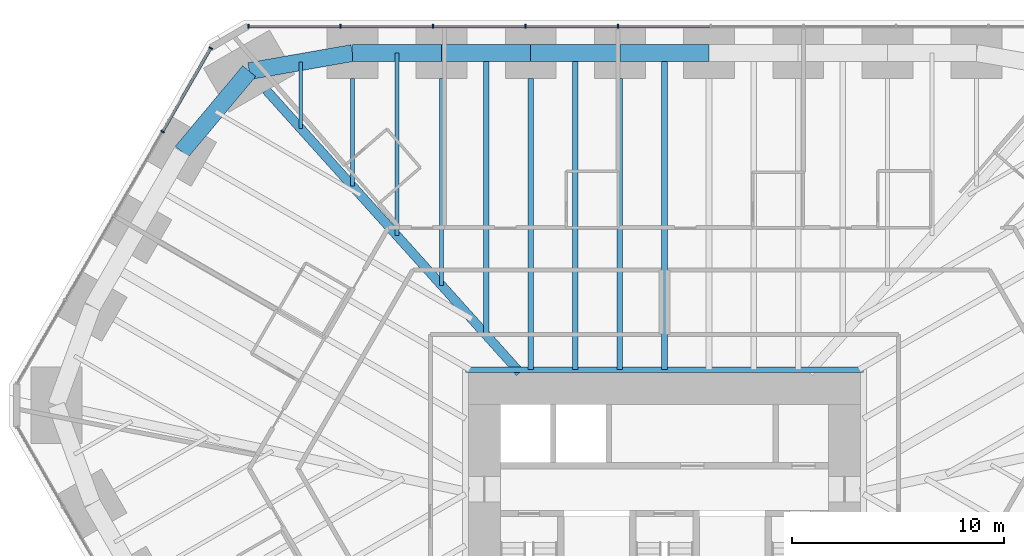
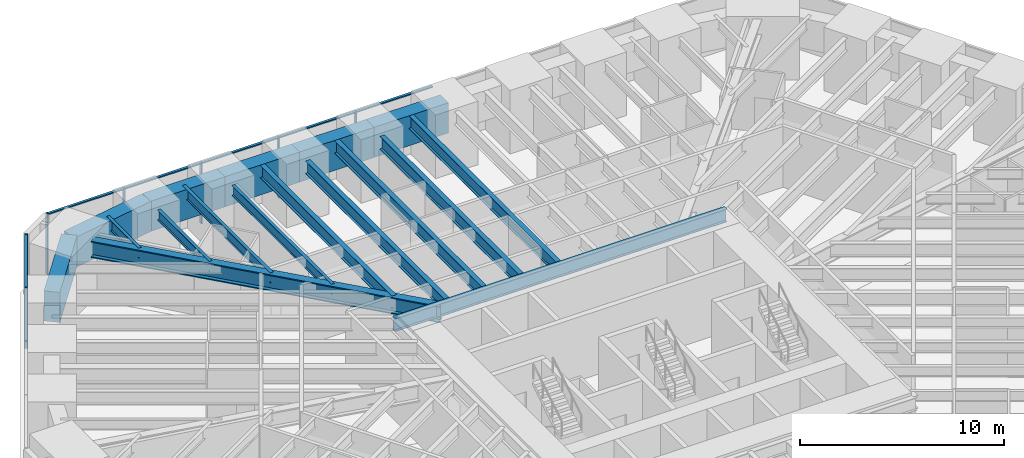
# One storey, part 8 of 17: 17 beams, 13 members, 2 elements without a shape of their own.
"""IFC4 building model written with IfcOpenShell, lengths in metres."""

import ifcopenshell
import ifcopenshell.guid

model = None  # the IFC model being written
_history = None  # IfcOwnerHistory: only IFC2X3 demands one
_inside = {}  # id of a spatial element -> (the spatial element, [elements in it])
_under = {}  # id of a project, library or spatial element -> (it, [spatial elements below it])
_declared = {}  # id of a project -> (the project, [libraries it declares])
_typed = {}  # id of a type object -> (the type object, [elements of that type])
_made_of = {}  # id of a material, layer set ... -> (it, [elements and type objects made of it])


def new_model(schema):
    """Start an empty IFC model of exactly this schema.

    Asked for "IFC4X3", IfcOpenShell would pick the latest addendum, in which some entities
    have other attributes; the version numbers below select the first issue.
    IFC2X3 requires an IfcOwnerHistory on every rooted entity: one is made here for all.
    """
    global model, _history
    if schema == "IFC4X3":
        model = ifcopenshell.file(schema_version=(4, 3, 0, 0))
    else:
        model = ifcopenshell.file(schema=schema)
    _inside.clear()
    _under.clear()
    _declared.clear()
    _typed.clear()
    _made_of.clear()
    _history = None
    if model.schema == "IFC2X3":
        org = make("IfcOrganization", Name="unknown")
        user = make(
            "IfcPersonAndOrganization",
            ThePerson=make("IfcPerson", FamilyName="unknown"),
            TheOrganization=org,
        )
        app = make(
            "IfcApplication",
            ApplicationDeveloper=org,
            Version="unknown",
            ApplicationFullName="unknown",
            ApplicationIdentifier="unknown",
        )
        _history = make(
            "IfcOwnerHistory",
            OwningUser=user,
            OwningApplication=app,
            ChangeAction="ADDED",
            CreationDate=0,
        )
    return model


def make(cls, **values):
    """One entity of the class cls with the attributes given. An attribute that is None is left unset."""
    return model.create_entity(
        cls, **{name: value for name, value in values.items() if value is not None}
    )


def rooted(cls, **values):
    """An entity with a GlobalId (a new one), such as an element, a storey or a relation."""
    return make(cls, GlobalId=ifcopenshell.guid.new(), OwnerHistory=_history, **values)


def si_unit(unit_type, name, prefix=None):
    """IfcSIUnit, for example si_unit("LENGTHUNIT", "METRE", prefix="MILLI")."""
    return make("IfcSIUnit", UnitType=unit_type, Prefix=prefix, Name=name)


def assignment(units):
    """IfcUnitAssignment: the units of a project."""
    return None if units is None else make("IfcUnitAssignment", Units=units)


def point(xyz):
    """IfcCartesianPoint."""
    return None if xyz is None else make("IfcCartesianPoint", Coordinates=xyz)


def direction(xyz):
    """IfcDirection."""
    return None if xyz is None else make("IfcDirection", DirectionRatios=xyz)


def frame(location, z_axis=None, x_axis=None):
    """IfcAxis2Placement3D, a coordinate frame: its origin and axes. An axis left out is left unset."""
    return make(
        "IfcAxis2Placement3D",
        Location=point(location),
        Axis=direction(z_axis),
        RefDirection=direction(x_axis),
    )


def frame_2d(location, x_axis=None):
    """IfcAxis2Placement2D, a coordinate frame in the plane: its origin and x axis."""
    return make(
        "IfcAxis2Placement2D", Location=point(location), RefDirection=direction(x_axis)
    )


def origin():
    """The frame at (0, 0, 0) with its axes left unset."""
    return frame((0.0, 0.0, 0.0))


def origin_2d():
    """The frame at (0, 0) in the plane with its x axis left unset."""
    return frame_2d((0.0, 0.0))


def place(relative_to, where):
    """IfcLocalPlacement: puts the frame where relative to a parent placement (None: the world)."""
    return make(
        "IfcLocalPlacement", PlacementRelTo=relative_to, RelativePlacement=where
    )


def context(
    kind, dimensions, precision=None, world=None, true_north=None, identifier=None
):
    """IfcGeometricRepresentationContext, for example the 3D "Model" context."""
    return make(
        "IfcGeometricRepresentationContext",
        ContextIdentifier=identifier,
        ContextType=kind,
        CoordinateSpaceDimension=dimensions,
        Precision=precision,
        WorldCoordinateSystem=world,
        TrueNorth=true_north,
    )


def subcontext(parent, identifier, kind, view, scale=None):
    """IfcGeometricRepresentationSubContext, for example "Body" below "Model"."""
    return make(
        "IfcGeometricRepresentationSubContext",
        ContextIdentifier=identifier,
        ContextType=kind,
        ParentContext=parent,
        TargetScale=scale,
        TargetView=view,
    )


def project(units=None, contexts=None):
    """IfcProject with its units and contexts."""
    return rooted(
        "IfcProject",
        Name="project",
        RepresentationContexts=contexts,
        UnitsInContext=assignment(units),
    )


def spatial(cls, under=None, at=None, **own):
    """A site, building, storey or space (cls), placed at a placement, below another one or the project."""
    s = rooted(cls, ObjectPlacement=at, **own)
    if under is not None:
        _under.setdefault(under.id(), (under, []))[1].append(s)
    return s


def profile(cls, at=None, kind="AREA", **sizes):
    """A parametric profile (cls). Its sizes go by their IFC names, for example OverallWidth=200.0."""
    return make(cls, ProfileType=kind, Position=at, **sizes)


def rectangle(**sizes):
    """IfcRectangleProfileDef."""
    return profile("IfcRectangleProfileDef", **sizes)


def i_section(**sizes):
    """IfcIShapeProfileDef."""
    return profile("IfcIShapeProfileDef", **sizes)


def extrude(swept, where, along, depth):
    """IfcExtrudedAreaSolid: the profile swept, set in the frame where, extruded along a direction by depth."""
    return make(
        "IfcExtrudedAreaSolid",
        SweptArea=swept,
        Position=where,
        ExtrudedDirection=direction(along),
        Depth=depth,
    )


def shape(context_of_items, identifier, shape_type, items):
    """IfcShapeRepresentation: the items that make up one representation, for example the "Body"."""
    return make(
        "IfcShapeRepresentation",
        ContextOfItems=context_of_items,
        RepresentationIdentifier=identifier,
        RepresentationType=shape_type,
        Items=items,
    )


def material(Name=None, Category=None):
    """IfcMaterial."""
    return make("IfcMaterial", Name=Name, Category=Category)


def material_profile(
    of_material, cross_section, Name=None, Category=None, Priority=None
):
    """IfcMaterialProfile: a cross section and its material."""
    return make(
        "IfcMaterialProfile",
        Name=Name,
        Material=of_material,
        Profile=cross_section,
        Priority=Priority,
        Category=Category,
    )


def profile_set(profiles, Name=None, composite=None):
    """IfcMaterialProfileSet."""
    return make(
        "IfcMaterialProfileSet",
        Name=Name,
        MaterialProfiles=profiles,
        CompositeProfile=composite,
    )


def made_of(thing, what):
    """Note that an element or type object is made of a material, layer set ...; save() writes the relation."""
    if what is not None:
        _made_of.setdefault(what.id(), (what, []))[1].append(thing)
    return thing


def type_object(cls, material=None, **own):
    """A type object (cls), such as IfcWallType, which elements share."""
    return made_of(rooted(cls, **own), material)


def element(
    cls,
    number,
    at=None,
    inside=None,
    cuts=None,
    type_object=None,
    material=None,
    context=None,
    identifier="Body",
    shape_type=None,
    held_by="IfcProductDefinitionShape",
    body=None,
    shapes=None,
    **own,
):
    """One element of the class cls, such as IfcWall. Its Tag is "e" and its number.

    at: its placement. inside: the storey or other place that contains it. cuts: it is an
    opening in that element (IfcRelVoidsElement). A single representation is given by context,
    identifier, shape_type and body (its items); several are given by shapes. held_by: the class
    of the entity that holds the representations. save() writes the other relations.
    """
    e = rooted(cls, Tag="e%d" % number, ObjectPlacement=at, **own)
    if body is not None:
        shapes = [shape(context, identifier, shape_type, body)]
    if shapes is not None:
        e.Representation = make(held_by, Representations=shapes)
    if inside is not None:
        _inside.setdefault(inside.id(), (inside, []))[1].append(e)
    if cuts is not None:
        rooted(
            "IfcRelVoidsElement", RelatingBuildingElement=cuts, RelatedOpeningElement=e
        )
    if type_object is not None:
        _typed.setdefault(type_object.id(), (type_object, []))[1].append(e)
    return made_of(e, material)


def aggregate(whole, parts):
    """IfcRelAggregates: a whole, such as a stair, and the parts it consists of."""
    return rooted("IfcRelAggregates", RelatingObject=whole, RelatedObjects=parts)


def save(model, path):
    """Write the relations noted so far, then the file.

    IfcRelAggregates (storeys below a building ...), IfcRelContainedInSpatialStructure (elements
    in a storey), IfcRelDefinesByType, IfcRelAssociatesMaterial and IfcRelDeclares: one each for
    every whole, place, type object, material and project.
    """
    for whole, parts in _under.values():
        aggregate(whole, parts)
    for where, things in _inside.values():
        rooted(
            "IfcRelContainedInSpatialStructure",
            RelatedElements=things,
            RelatingStructure=where,
        )
    for kind, things in _typed.values():
        rooted("IfcRelDefinesByType", RelatedObjects=things, RelatingType=kind)
    for what, things in _made_of.values():
        rooted("IfcRelAssociatesMaterial", RelatedObjects=things, RelatingMaterial=what)
    for by, libraries in _declared.values():
        rooted("IfcRelDeclares", RelatingContext=by, RelatedDefinitions=libraries)
    model.write(path)


model = new_model("IFC4")

# Units and contexts
model_context = context("Model", 3, precision=1e-05, world=origin(), true_north=direction((0.0, 1.0)))
body_context = subcontext(model_context, "Body", "Model", "MODEL_VIEW")
ifc_project = project(units=[si_unit("LENGTHUNIT", "METRE"), si_unit("AREAUNIT", "SQUARE_METRE"), si_unit("VOLUMEUNIT", "CUBIC_METRE"), si_unit("PLANEANGLEUNIT", "RADIAN"), si_unit("MASSUNIT", "GRAM", prefix="KILO")], contexts=[model_context])

# Site, building, storey
site_placement = place(None, origin())
site = spatial("IfcSite", under=ifc_project, at=site_placement, CompositionType="ELEMENT")
building_placement = place(site_placement, origin())
building = spatial("IfcBuilding", under=site, at=building_placement, Name="Sandreach Pilgrim Tower", CompositionType="ELEMENT")
storey_placement = place(building_placement, frame((0.0, 0.0, 38.199951171875)))
storey = spatial("IfcBuildingStorey", under=building, at=storey_placement, Name="L08", CompositionType="ELEMENT", Elevation=38.199951171875)

# Curtain wall, members
ifc_material_1 = material(Name="Aluminium framed curtain wall", Category="aluminium")
curtain_wall_type = type_object("IfcCurtainWallType", Name="Hostel tower curtain wall", PredefinedType="NOTDEFINED", material=ifc_material_1)
curtain_wall_1_placement = place(storey_placement, origin())
curtain_wall_1 = element("IfcCurtainWall", 1, at=curtain_wall_1_placement, inside=storey, type_object=curtain_wall_type, Name="CW-1 L08 N", PredefinedType="NOTDEFINED")
ifc_material_2 = material(Name="Aluminium extrusion", Category="aluminium")
ifc_material_profile_1 = material_profile(ifc_material_2, rectangle(XDim=0.06494140625, YDim=0.179931640625, at=origin_2d()), Name="CW-1M 65X180")
ifc_profile_set_1 = profile_set([ifc_material_profile_1], Name="Aluminium extrusion")
member_type_1 = type_object("IfcMemberType", Name="CW-1 mullion", PredefinedType="MULLION", material=ifc_profile_set_1)
member_1_placement = place(storey_placement, frame((-19.6396484375, 23.94873046875, 0.0), z_axis=(0.0, 0.0, 1.0), x_axis=(1.0, 0.0, 0.0)))
member_1 = element("IfcMember", 2, at=member_1_placement, type_object=member_type_1, Name="CW-1 mullion 1", PredefinedType="MULLION", context=body_context, shape_type="SweptSolid", body=[
    extrude(rectangle(XDim=0.06494140625, YDim=0.179931640625, at=origin_2d()), origin(), (0.0, 0.0, 1.0), 3.64013671875),
])
member_2_placement = place(storey_placement, frame((-15.300537109375, 23.94873046875, 0.0), z_axis=(0.0, 0.0, 1.0), x_axis=(1.0, 0.0, 0.0)))
member_2 = element("IfcMember", 3, at=member_2_placement, type_object=member_type_1, Name="CW-1 mullion 2", PredefinedType="MULLION", context=body_context, shape_type="SweptSolid", body=[
    extrude(rectangle(XDim=0.06494140625, YDim=0.179931640625, at=origin_2d()), origin(), (0.0, 0.0, 1.0), 3.64013671875),
])
member_3_placement = place(storey_placement, frame((-10.928955078125, 23.94873046875, 0.0), z_axis=(0.0, 0.0, 1.0), x_axis=(1.0, 0.0, 0.0)))
member_3 = element("IfcMember", 4, at=member_3_placement, type_object=member_type_1, Name="CW-1 mullion 3", PredefinedType="MULLION", context=body_context, shape_type="SweptSolid", body=[
    extrude(rectangle(XDim=0.06494140625, YDim=0.179931640625, at=origin_2d()), origin(), (0.0, 0.0, 1.0), 3.64013671875),
])
member_4_placement = place(storey_placement, frame((-6.557373046875, 23.94873046875, 0.0), z_axis=(0.0, 0.0, 1.0), x_axis=(1.0, 0.0, 0.0)))
member_4 = element("IfcMember", 5, at=member_4_placement, type_object=member_type_1, Name="CW-1 mullion 4", PredefinedType="MULLION", context=body_context, shape_type="SweptSolid", body=[
    extrude(rectangle(XDim=0.06494140625, YDim=0.179931640625, at=origin_2d()), origin(), (0.0, 0.0, 1.0), 3.64013671875),
])
member_5_placement = place(storey_placement, frame((-2.185791015625, 23.94873046875, 0.0), z_axis=(0.0, 0.0, 1.0), x_axis=(1.0, 0.0, 0.0)))
member_5 = element("IfcMember", 6, at=member_5_placement, type_object=member_type_1, Name="CW-1 mullion 5", PredefinedType="MULLION", context=body_context, shape_type="SweptSolid", body=[
    extrude(rectangle(XDim=0.06494140625, YDim=0.179931640625, at=origin_2d()), origin(), (0.0, 0.0, 1.0), 3.64013671875),
])

curtain_wall_2_placement = place(storey_placement, origin())
curtain_wall_2 = element("IfcCurtainWall", 7, at=curtain_wall_2_placement, inside=storey, type_object=curtain_wall_type, Name="CW-1 L08 NW", PredefinedType="NOTDEFINED")
member_6_placement = place(storey_placement, frame((-23.697265625, 18.97705078125, 0.0), z_axis=(0.0, 0.0, 1.0), x_axis=(0.5, 0.866025403784, 0.0)))
member_6 = element("IfcMember", 8, at=member_6_placement, type_object=member_type_1, Name="CW-1 mullion 4", PredefinedType="MULLION", context=body_context, shape_type="SweptSolid", body=[
    extrude(rectangle(XDim=0.06494140625, YDim=0.179931640625, at=origin_2d()), origin(), (0.0, 0.0, 1.0), 3.64013671875),
])
member_7_placement = place(storey_placement, frame((-21.42041015625, 22.920654296875, 0.0), z_axis=(0.0, 0.0, 1.0), x_axis=(0.5, 0.866025403784, 0.0)))
member_7 = element("IfcMember", 9, at=member_7_placement, type_object=member_type_1, Name="CW-1 mullion 5", PredefinedType="MULLION", context=body_context, shape_type="SweptSolid", body=[
    extrude(rectangle(XDim=0.06494140625, YDim=0.179931640625, at=origin_2d()), origin(), (0.0, 0.0, 1.0), 3.64013671875),
])

# Member
ifc_material_3 = material(Name="Aluminium extrusion", Category="aluminium")
ifc_material_profile_2 = material_profile(ifc_material_3, rectangle(XDim=0.139892578125, YDim=0.070068359375, at=origin_2d()), Name="CW-1T 140X70")
ifc_profile_set_2 = profile_set([ifc_material_profile_2], Name="Aluminium extrusion")
member_type_2 = type_object("IfcMemberType", Name="CW-1 transom", PredefinedType="USERDEFINED", material=ifc_profile_set_2)
member_8_placement = place(storey_placement, frame((-19.607177734375, 23.94873046875, 3.60498046875), z_axis=(1.0, 0.0, 0.0), x_axis=(0.0, 1.0, 0.0)))
member_8 = element("IfcMember", 10, at=member_8_placement, type_object=member_type_2, Name="CW-1 head transom 1", ObjectType="TRANSOM", PredefinedType="USERDEFINED", context=body_context, shape_type="SweptSolid", body=[
    extrude(rectangle(XDim=0.139892578125, YDim=0.070068359375, at=origin_2d()), origin(), (0.0, 0.0, 1.0), 4.274169921875),
])

member_9_placement = place(storey_placement, frame((-15.26806640625, 23.94873046875, 3.60498046875), z_axis=(1.0, 0.0, 0.0), x_axis=(0.0, 1.0, 0.0)))
member_9 = element("IfcMember", 11, at=member_9_placement, type_object=member_type_2, Name="CW-1 head transom 2", ObjectType="TRANSOM", PredefinedType="USERDEFINED", context=body_context, shape_type="SweptSolid", body=[
    extrude(rectangle(XDim=0.139892578125, YDim=0.070068359375, at=origin_2d()), origin(), (0.0, 0.0, 1.0), 4.306640625),
])

member_10_placement = place(storey_placement, frame((-10.896484375, 23.94873046875, 3.60498046875), z_axis=(1.0, 0.0, 0.0), x_axis=(0.0, 1.0, 0.0)))
member_10 = element("IfcMember", 12, at=member_10_placement, type_object=member_type_2, Name="CW-1 head transom 3", ObjectType="TRANSOM", PredefinedType="USERDEFINED", context=body_context, shape_type="SweptSolid", body=[
    extrude(rectangle(XDim=0.139892578125, YDim=0.070068359375, at=origin_2d()), origin(), (0.0, 0.0, 1.0), 4.306640625),
])

member_11_placement = place(storey_placement, frame((-6.52490234375, 23.94873046875, 3.60498046875), z_axis=(1.0, 0.0, 0.0), x_axis=(0.0, 1.0, 0.0)))
member_11 = element("IfcMember", 13, at=member_11_placement, type_object=member_type_2, Name="CW-1 head transom 4", ObjectType="TRANSOM", PredefinedType="USERDEFINED", context=body_context, shape_type="SweptSolid", body=[
    extrude(rectangle(XDim=0.139892578125, YDim=0.070068359375, at=origin_2d()), origin(), (0.0, 0.0, 1.0), 4.306640625),
])

member_12_placement = place(storey_placement, frame((-2.1533203125, 23.94873046875, 3.60498046875), z_axis=(1.0, 0.0, 0.0), x_axis=(0.0, 1.0, 0.0)))
member_12 = element("IfcMember", 14, at=member_12_placement, type_object=member_type_2, Name="CW-1 head transom 5", ObjectType="TRANSOM", PredefinedType="USERDEFINED", context=body_context, shape_type="SweptSolid", body=[
    extrude(rectangle(XDim=0.139892578125, YDim=0.070068359375, at=origin_2d()), origin(), (0.0, 0.0, 1.0), 4.306640625),
])

aggregate(curtain_wall_1, [member_1, member_2, member_3, member_4, member_5, member_8, member_9, member_10, member_11, member_12])

member_13_placement = place(storey_placement, frame((-23.680908203125, 19.005126953125, 3.60498046875), z_axis=(0.500017500808, 0.866015299452, 0.0), x_axis=(-0.866015299452, 0.500017500808, 0.0)))
member_13 = element("IfcMember", 15, at=member_13_placement, type_object=member_type_2, Name="CW-1 head transom 4", ObjectType="TRANSOM", PredefinedType="USERDEFINED", context=body_context, shape_type="SweptSolid", body=[
    extrude(rectangle(XDim=0.139892578125, YDim=0.070068359375, at=origin_2d()), origin(), (0.0, 0.0, 1.0), 4.488525390625),
])

aggregate(curtain_wall_2, [member_6, member_7, member_13])

# Beams
ifc_material_4 = material(Name="Steel ASTM A992 Grade 50", Category="steel")
ifc_material_profile_3 = material_profile(ifc_material_4, i_section(OverallWidth=0.2666015625, OverallDepth=0.77978515625, WebThickness=0.0166015625, FlangeThickness=0.030029296875, at=origin_2d()), Name="W30X148")
ifc_profile_set_3 = profile_set([ifc_material_profile_3], Name="Steel ASTM A992 Grade 50")
beam_type_1 = type_object("IfcBeamType", Name="Core edge beam W30X148", PredefinedType="BEAM", material=ifc_profile_set_3)
beam_1_placement = place(storey_placement, frame((-9.393310546875, 7.743408203125, 3.250244140625), z_axis=(1.0, 0.0, 0.0), x_axis=(0.0, 1.0, 0.0)))
element("IfcBeam", 16, at=beam_1_placement, inside=storey, type_object=beam_type_1, Name="BM L08 CEN", PredefinedType="BEAM", context=body_context, shape_type="SweptSolid", body=[
    extrude(i_section(OverallWidth=0.2666015625, OverallDepth=0.77978515625, WebThickness=0.0166015625, FlangeThickness=0.030029296875, at=origin_2d()), origin(), (0.0, 0.0, 1.0), 18.78662109375),
])
ifc_material_5 = material(Name="Steel ASTM A992 Grade 50", Category="steel")
ifc_material_profile_4 = material_profile(ifc_material_5, i_section(OverallWidth=0.431884765625, OverallDepth=0.988037109375, WebThickness=0.034423828125, FlangeThickness=0.06201171875, at=origin_2d()), Name="W36X441")
ifc_profile_set_4 = profile_set([ifc_material_profile_4], Name="Steel ASTM A992 Grade 50")
beam_type_2 = type_object("IfcBeamType", Name="Corner girder W36X441", PredefinedType="BEAM", material=ifc_profile_set_4)
beam_2_placement = place(storey_placement, frame((-18.8046875, 20.94189453125, 3.14599609375), z_axis=(0.668127834846, -0.74404650144, 0.0), x_axis=(0.74404650144, 0.668127834846, 0.0)))
element("IfcBeam", 17, at=beam_2_placement, inside=storey, type_object=beam_type_2, Name="BM L08 CG39", PredefinedType="BEAM", context=body_context, shape_type="SweptSolid", body=[
    extrude(i_section(OverallWidth=0.431884765625, OverallDepth=0.988037109375, WebThickness=0.034423828125, FlangeThickness=0.06201171875, at=origin_2d()), origin(), (0.0, 0.0, 1.0), 17.931396484375),
])
ifc_material_6 = material(Name="Steel ASTM A992 Grade 50", Category="steel")
ifc_material_profile_5 = material_profile(ifc_material_6, i_section(OverallWidth=0.1787109375, OverallDepth=0.60205078125, WebThickness=0.010986328125, FlangeThickness=0.014892578125, at=origin_2d()), Name="W24X62")
ifc_profile_set_5 = profile_set([ifc_material_profile_5], Name="Steel ASTM A992 Grade 50")
beam_type_3 = type_object("IfcBeamType", Name="Floor beam W24X62", PredefinedType="BEAM", material=ifc_profile_set_5)
beam_3_placement = place(storey_placement, frame((-14.734619140625, 21.48876953125, 3.339111328125), z_axis=(0.0, -1.0, 0.0), x_axis=(1.0, 0.0, 0.0)))
element("IfcBeam", 18, at=beam_3_placement, inside=storey, type_object=beam_type_3, Name="BM L08 F01", PredefinedType="BEAM", context=body_context, shape_type="SweptSolid", body=[
    extrude(i_section(OverallWidth=0.1787109375, OverallDepth=0.60205078125, WebThickness=0.010986328125, FlangeThickness=0.014892578125, at=origin_2d()), origin(), (0.0, 0.0, 1.0), 5.079345703125),
])
beam_4_placement = place(storey_placement, frame((-10.52490234375, 21.48876953125, 3.339111328125), z_axis=(0.0, -1.0, 0.0), x_axis=(1.0, 0.0, 0.0)))
element("IfcBeam", 19, at=beam_4_placement, inside=storey, type_object=beam_type_3, Name="BM L08 F02", PredefinedType="BEAM", context=body_context, shape_type="SweptSolid", body=[
    extrude(i_section(OverallWidth=0.1787109375, OverallDepth=0.60205078125, WebThickness=0.010986328125, FlangeThickness=0.014892578125, at=origin_2d()), origin(), (0.0, 0.0, 1.0), 9.767822265625),
])
beam_5_placement = place(storey_placement, frame((-12.629638671875, 22.688720703125, 3.339111328125), z_axis=(0.0, -1.0, 0.0), x_axis=(1.0, 0.0, 0.0)))
element("IfcBeam", 20, at=beam_5_placement, inside=storey, type_object=beam_type_3, Name="BM L08 FM01", PredefinedType="BEAM", context=body_context, shape_type="SweptSolid", body=[
    extrude(i_section(OverallWidth=0.1787109375, OverallDepth=0.60205078125, WebThickness=0.010986328125, FlangeThickness=0.014892578125, at=origin_2d()), origin(), (0.0, 0.0, 1.0), 8.62353515625),
])
beam_6_placement = place(storey_placement, frame((-17.17041015625, 22.26171875, 3.339111328125), z_axis=(0.0, -1.0, 0.0), x_axis=(1.0, 0.0, 0.0)))
element("IfcBeam", 21, at=beam_6_placement, inside=storey, type_object=beam_type_3, Name="BM L08 FM39", PredefinedType="BEAM", context=body_context, shape_type="SweptSolid", body=[
    extrude(i_section(OverallWidth=0.1787109375, OverallDepth=0.60205078125, WebThickness=0.010986328125, FlangeThickness=0.014892578125, at=origin_2d()), origin(), (0.0, 0.0, 1.0), 3.1396484375),
])
ifc_material_7 = material(Name="Steel ASTM A992 Grade 50", Category="steel")
ifc_material_profile_6 = material_profile(ifc_material_7, i_section(OverallWidth=0.2666015625, OverallDepth=0.761962890625, WebThickness=0.014404296875, FlangeThickness=0.021484375, at=origin_2d()), Name="W30X116")
ifc_profile_set_6 = profile_set([ifc_material_profile_6], Name="Steel ASTM A992 Grade 50")
beam_type_4 = type_object("IfcBeamType", Name="Floor beam W30X116", PredefinedType="BEAM", material=ifc_profile_set_6)
for number, where, z_axis, x_axis, name in (
    (22, (-6.31494140625, 21.48876953125, 3.259033203125), (0.0, -1.0, 0.0), (1.0, 0.0, 0.0), "BM L08 F03"),
    (23, (-2.10498046875, 21.48876953125, 3.259033203125), (0.0, -1.0, 0.0), (1.0, 0.0, 0.0), "BM L08 F04"),
):
    element("IfcBeam", number, at=place(storey_placement, frame(where, z_axis=z_axis, x_axis=x_axis)), inside=storey, type_object=beam_type_4, Name=name, PredefinedType="BEAM", context=body_context, shape_type="SweptSolid", body=[
        extrude(i_section(OverallWidth=0.2666015625, OverallDepth=0.761962890625, WebThickness=0.014404296875, FlangeThickness=0.021484375, at=origin_2d()), origin(), (0.0, 0.0, 1.0), 13.745361328125),
    ])
beam_7_placement = place(storey_placement, frame((-8.419921875, 22.688720703125, 3.259033203125), z_axis=(0.0, -1.0, 0.0), x_axis=(1.0, 0.0, 0.0)))
element("IfcBeam", 24, at=beam_7_placement, inside=storey, type_object=beam_type_4, Name="BM L08 FM02", PredefinedType="BEAM", context=body_context, shape_type="SweptSolid", body=[
    extrude(i_section(OverallWidth=0.2666015625, OverallDepth=0.761962890625, WebThickness=0.014404296875, FlangeThickness=0.021484375, at=origin_2d()), origin(), (0.0, 0.0, 1.0), 13.311767578125),
])
for number, where, z_axis, x_axis, name in (
    (25, (-4.2099609375, 22.688720703125, 3.259033203125), (0.0, -1.0, 0.0), (1.0, 0.0, 0.0), "BM L08 FM03"),
    (26, (0.0, 22.688720703125, 3.259033203125), (0.0, -1.0, 0.0), (1.0, 0.0, 0.0), "BM L08 FM04"),
):
    element("IfcBeam", number, at=place(storey_placement, frame(where, z_axis=z_axis, x_axis=x_axis)), inside=storey, type_object=beam_type_4, Name=name, PredefinedType="BEAM", context=body_context, shape_type="SweptSolid", body=[
        extrude(i_section(OverallWidth=0.2666015625, OverallDepth=0.761962890625, WebThickness=0.014404296875, FlangeThickness=0.021484375, at=origin_2d()), origin(), (0.0, 0.0, 1.0), 14.9453125),
    ])
ifc_material_8 = material(Name="Concrete 10000 psi", Category="concrete")
ifc_material_profile_7 = material_profile(ifc_material_8, rectangle(XDim=0.800048828125, YDim=1.800048828125, at=origin_2d()), Name="RC800X1800")
ifc_profile_set_7 = profile_set([ifc_material_profile_7], Name="Concrete 10000 psi")
beam_type_5 = type_object("IfcBeamType", Name="Spandrel beam RC800X1800", PredefinedType="SPANDREL", material=ifc_profile_set_7)
beam_8_placement = place(storey_placement, frame((-14.734619140625, 22.688720703125, 2.739990234375), z_axis=(1.0, 0.0, 0.0), x_axis=(0.0, 1.0, 0.0)))
element("IfcBeam", 27, at=beam_8_placement, inside=storey, type_object=beam_type_5, Name="BM L08 SP01", PredefinedType="SPANDREL", context=body_context, shape_type="SweptSolid", body=[
    extrude(rectangle(XDim=0.800048828125, YDim=1.800048828125, at=origin_2d()), origin(), (0.0, 0.0, 1.0), 4.209716796875),
])
for number, where, z_axis, x_axis, name in (
    (28, (-10.52490234375, 22.688720703125, 2.739990234375), (1.0, 0.0, 0.0), (0.0, 1.0, 0.0), "BM L08 SP02"),
    (29, (-6.31494140625, 22.688720703125, 2.739990234375), (1.0, 0.0, 0.0), (0.0, 1.0, 0.0), "BM L08 SP03"),
    (30, (-2.10498046875, 22.688720703125, 2.739990234375), (1.0, 0.0, 0.0), (0.0, 1.0, 0.0), "BM L08 SP04"),
):
    element("IfcBeam", number, at=place(storey_placement, frame(where, z_axis=z_axis, x_axis=x_axis)), inside=storey, type_object=beam_type_5, Name=name, PredefinedType="SPANDREL", context=body_context, shape_type="SweptSolid", body=[
        extrude(rectangle(XDim=0.800048828125, YDim=1.800048828125, at=origin_2d()), origin(), (0.0, 0.0, 1.0), 4.2099609375),
    ])
beam_9_placement = place(storey_placement, frame((-22.787841796875, 18.031982421875, 2.739990234375), z_axis=(0.641665295114, 0.766984777584, 0.0), x_axis=(-0.766984777584, 0.641665295114, 0.0)))
element("IfcBeam", 31, at=beam_9_placement, inside=storey, type_object=beam_type_5, Name="BM L08 SP38", PredefinedType="SPANDREL", context=body_context, shape_type="SweptSolid", body=[
    extrude(rectangle(XDim=0.800048828125, YDim=1.800048828125, at=origin_2d()), origin(), (0.0, 0.0, 1.0), 4.9580078125),
])
beam_10_placement = place(storey_placement, frame((-19.6064453125, 21.834716796875, 2.739990234375), z_axis=(0.984981186582, 0.172661698355, 0.0), x_axis=(-0.172661698355, 0.984981186582, 0.0)))
element("IfcBeam", 32, at=beam_10_placement, inside=storey, type_object=beam_type_5, Name="BM L08 SP39", PredefinedType="SPANDREL", context=body_context, shape_type="SweptSolid", body=[
    extrude(rectangle(XDim=0.800048828125, YDim=1.800048828125, at=origin_2d()), origin(), (0.0, 0.0, 1.0), 4.946044921875),
])

save(model, "model.ifc")
